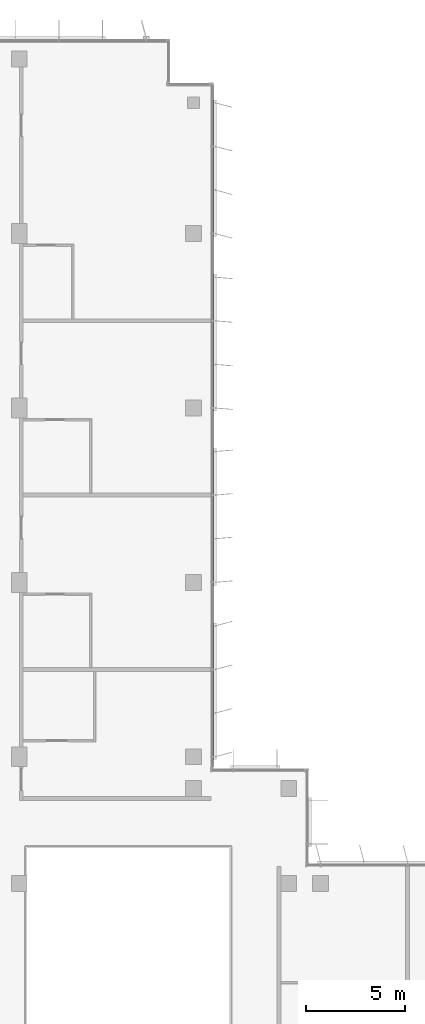
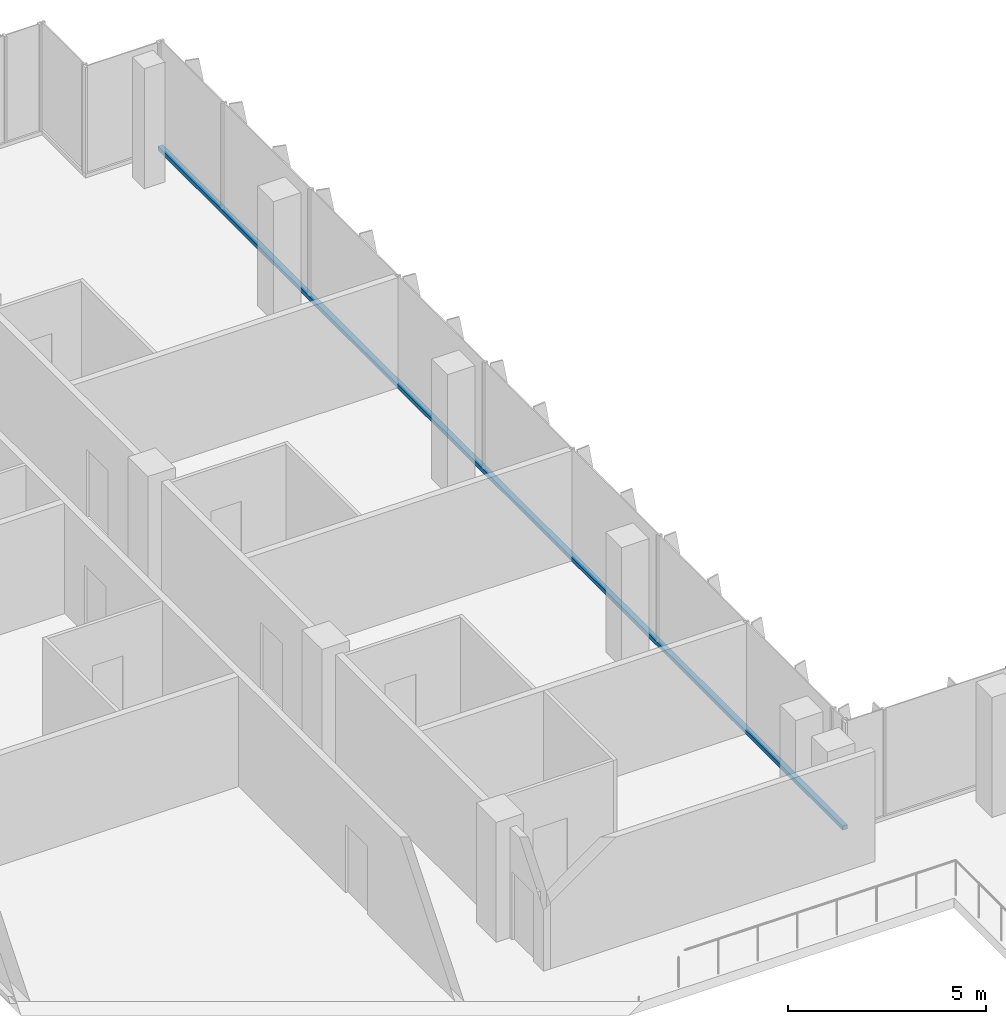
# One storey, part 5 of 15: 1 member, 1 element without a shape of its own.
"""IFC4 building model written with IfcOpenShell, lengths in metres."""

import ifcopenshell
import ifcopenshell.guid

model = None  # the IFC model being written
_history = None  # IfcOwnerHistory: only IFC2X3 demands one
_inside = {}  # id of a spatial element -> (the spatial element, [elements in it])
_under = {}  # id of a project, library or spatial element -> (it, [spatial elements below it])
_declared = {}  # id of a project -> (the project, [libraries it declares])
_typed = {}  # id of a type object -> (the type object, [elements of that type])
_made_of = {}  # id of a material, layer set ... -> (it, [elements and type objects made of it])


def new_model(schema):
    """Start an empty IFC model of exactly this schema.

    Asked for "IFC4X3", IfcOpenShell would pick the latest addendum, in which some entities
    have other attributes; the version numbers below select the first issue.
    IFC2X3 requires an IfcOwnerHistory on every rooted entity: one is made here for all.
    """
    global model, _history
    if schema == "IFC4X3":
        model = ifcopenshell.file(schema_version=(4, 3, 0, 0))
    else:
        model = ifcopenshell.file(schema=schema)
    _inside.clear()
    _under.clear()
    _declared.clear()
    _typed.clear()
    _made_of.clear()
    _history = None
    if model.schema == "IFC2X3":
        org = make("IfcOrganization", Name="unknown")
        user = make(
            "IfcPersonAndOrganization",
            ThePerson=make("IfcPerson", FamilyName="unknown"),
            TheOrganization=org,
        )
        app = make(
            "IfcApplication",
            ApplicationDeveloper=org,
            Version="unknown",
            ApplicationFullName="unknown",
            ApplicationIdentifier="unknown",
        )
        _history = make(
            "IfcOwnerHistory",
            OwningUser=user,
            OwningApplication=app,
            ChangeAction="ADDED",
            CreationDate=0,
        )
    return model


def make(cls, **values):
    """One entity of the class cls with the attributes given. An attribute that is None is left unset."""
    return model.create_entity(
        cls, **{name: value for name, value in values.items() if value is not None}
    )


def rooted(cls, **values):
    """An entity with a GlobalId (a new one), such as an element, a storey or a relation."""
    return make(cls, GlobalId=ifcopenshell.guid.new(), OwnerHistory=_history, **values)


def si_unit(unit_type, name, prefix=None):
    """IfcSIUnit, for example si_unit("LENGTHUNIT", "METRE", prefix="MILLI")."""
    return make("IfcSIUnit", UnitType=unit_type, Prefix=prefix, Name=name)


def assignment(units):
    """IfcUnitAssignment: the units of a project."""
    return None if units is None else make("IfcUnitAssignment", Units=units)


def point(xyz):
    """IfcCartesianPoint."""
    return None if xyz is None else make("IfcCartesianPoint", Coordinates=xyz)


def direction(xyz):
    """IfcDirection."""
    return None if xyz is None else make("IfcDirection", DirectionRatios=xyz)


def frame(location, z_axis=None, x_axis=None):
    """IfcAxis2Placement3D, a coordinate frame: its origin and axes. An axis left out is left unset."""
    return make(
        "IfcAxis2Placement3D",
        Location=point(location),
        Axis=direction(z_axis),
        RefDirection=direction(x_axis),
    )


def frame_2d(location, x_axis=None):
    """IfcAxis2Placement2D, a coordinate frame in the plane: its origin and x axis."""
    return make(
        "IfcAxis2Placement2D", Location=point(location), RefDirection=direction(x_axis)
    )


def origin():
    """The frame at (0, 0, 0) with its axes left unset."""
    return frame((0.0, 0.0, 0.0))


def origin_2d():
    """The frame at (0, 0) in the plane with its x axis left unset."""
    return frame_2d((0.0, 0.0))


def place(relative_to, where):
    """IfcLocalPlacement: puts the frame where relative to a parent placement (None: the world)."""
    return make(
        "IfcLocalPlacement", PlacementRelTo=relative_to, RelativePlacement=where
    )


def context(
    kind, dimensions, precision=None, world=None, true_north=None, identifier=None
):
    """IfcGeometricRepresentationContext, for example the 3D "Model" context."""
    return make(
        "IfcGeometricRepresentationContext",
        ContextIdentifier=identifier,
        ContextType=kind,
        CoordinateSpaceDimension=dimensions,
        Precision=precision,
        WorldCoordinateSystem=world,
        TrueNorth=true_north,
    )


def subcontext(parent, identifier, kind, view, scale=None):
    """IfcGeometricRepresentationSubContext, for example "Body" below "Model"."""
    return make(
        "IfcGeometricRepresentationSubContext",
        ContextIdentifier=identifier,
        ContextType=kind,
        ParentContext=parent,
        TargetScale=scale,
        TargetView=view,
    )


def project(units=None, contexts=None):
    """IfcProject with its units and contexts."""
    return rooted(
        "IfcProject",
        Name="project",
        RepresentationContexts=contexts,
        UnitsInContext=assignment(units),
    )


def spatial(cls, under=None, at=None, **own):
    """A site, building, storey or space (cls), placed at a placement, below another one or the project."""
    s = rooted(cls, ObjectPlacement=at, **own)
    if under is not None:
        _under.setdefault(under.id(), (under, []))[1].append(s)
    return s


def profile(cls, at=None, kind="AREA", **sizes):
    """A parametric profile (cls). Its sizes go by their IFC names, for example OverallWidth=200.0."""
    return make(cls, ProfileType=kind, Position=at, **sizes)


def rectangle(**sizes):
    """IfcRectangleProfileDef."""
    return profile("IfcRectangleProfileDef", **sizes)


def extrude(swept, where, along, depth):
    """IfcExtrudedAreaSolid: the profile swept, set in the frame where, extruded along a direction by depth."""
    return make(
        "IfcExtrudedAreaSolid",
        SweptArea=swept,
        Position=where,
        ExtrudedDirection=direction(along),
        Depth=depth,
    )


def shape(context_of_items, identifier, shape_type, items):
    """IfcShapeRepresentation: the items that make up one representation, for example the "Body"."""
    return make(
        "IfcShapeRepresentation",
        ContextOfItems=context_of_items,
        RepresentationIdentifier=identifier,
        RepresentationType=shape_type,
        Items=items,
    )


def material(Name=None, Category=None):
    """IfcMaterial."""
    return make("IfcMaterial", Name=Name, Category=Category)


def material_profile(
    of_material, cross_section, Name=None, Category=None, Priority=None
):
    """IfcMaterialProfile: a cross section and its material."""
    return make(
        "IfcMaterialProfile",
        Name=Name,
        Material=of_material,
        Profile=cross_section,
        Priority=Priority,
        Category=Category,
    )


def profile_set(profiles, Name=None, composite=None):
    """IfcMaterialProfileSet."""
    return make(
        "IfcMaterialProfileSet",
        Name=Name,
        MaterialProfiles=profiles,
        CompositeProfile=composite,
    )


def made_of(thing, what):
    """Note that an element or type object is made of a material, layer set ...; save() writes the relation."""
    if what is not None:
        _made_of.setdefault(what.id(), (what, []))[1].append(thing)
    return thing


def type_object(cls, material=None, **own):
    """A type object (cls), such as IfcWallType, which elements share."""
    return made_of(rooted(cls, **own), material)


def element(
    cls,
    number,
    at=None,
    inside=None,
    cuts=None,
    type_object=None,
    material=None,
    context=None,
    identifier="Body",
    shape_type=None,
    held_by="IfcProductDefinitionShape",
    body=None,
    shapes=None,
    **own,
):
    """One element of the class cls, such as IfcWall. Its Tag is "e" and its number.

    at: its placement. inside: the storey or other place that contains it. cuts: it is an
    opening in that element (IfcRelVoidsElement). A single representation is given by context,
    identifier, shape_type and body (its items); several are given by shapes. held_by: the class
    of the entity that holds the representations. save() writes the other relations.
    """
    e = rooted(cls, Tag="e%d" % number, ObjectPlacement=at, **own)
    if body is not None:
        shapes = [shape(context, identifier, shape_type, body)]
    if shapes is not None:
        e.Representation = make(held_by, Representations=shapes)
    if inside is not None:
        _inside.setdefault(inside.id(), (inside, []))[1].append(e)
    if cuts is not None:
        rooted(
            "IfcRelVoidsElement", RelatingBuildingElement=cuts, RelatedOpeningElement=e
        )
    if type_object is not None:
        _typed.setdefault(type_object.id(), (type_object, []))[1].append(e)
    return made_of(e, material)


def aggregate(whole, parts):
    """IfcRelAggregates: a whole, such as a stair, and the parts it consists of."""
    return rooted("IfcRelAggregates", RelatingObject=whole, RelatedObjects=parts)


def save(model, path):
    """Write the relations noted so far, then the file.

    IfcRelAggregates (storeys below a building ...), IfcRelContainedInSpatialStructure (elements
    in a storey), IfcRelDefinesByType, IfcRelAssociatesMaterial and IfcRelDeclares: one each for
    every whole, place, type object, material and project.
    """
    for whole, parts in _under.values():
        aggregate(whole, parts)
    for where, things in _inside.values():
        rooted(
            "IfcRelContainedInSpatialStructure",
            RelatedElements=things,
            RelatingStructure=where,
        )
    for kind, things in _typed.values():
        rooted("IfcRelDefinesByType", RelatedObjects=things, RelatingType=kind)
    for what, things in _made_of.values():
        rooted("IfcRelAssociatesMaterial", RelatedObjects=things, RelatingMaterial=what)
    for by, libraries in _declared.values():
        rooted("IfcRelDeclares", RelatingContext=by, RelatedDefinitions=libraries)
    model.write(path)


model = new_model("IFC4")

# Units and contexts
model_context = context("Model", 3, precision=1e-05, world=origin(), true_north=direction((0.0, 1.0)))
body_context = subcontext(model_context, "Body", "Model", "MODEL_VIEW")
ifc_project = project(units=[si_unit("LENGTHUNIT", "METRE"), si_unit("AREAUNIT", "SQUARE_METRE"), si_unit("VOLUMEUNIT", "CUBIC_METRE"), si_unit("PLANEANGLEUNIT", "RADIAN"), si_unit("MASSUNIT", "GRAM", prefix="KILO")], contexts=[model_context])

# Site, building, storey
site_placement = place(None, origin())
site = spatial("IfcSite", under=ifc_project, at=site_placement, CompositionType="ELEMENT")
building_placement = place(site_placement, origin())
building = spatial("IfcBuilding", under=site, at=building_placement, Name="Kemantara Hotel Tower", CompositionType="ELEMENT")
storey_placement = place(building_placement, frame((0.0, 0.0, 290.699951171875)))
storey = spatial("IfcBuildingStorey", under=building, at=storey_placement, Name="L73", CompositionType="ELEMENT", Elevation=290.699951171875)

# Curtain wall, member
ifc_material_1 = material(Name="Low-E tinted double insulated glass 36 mm", Category="glass")
curtain_wall_type = type_object("IfcCurtainWallType", Name="TOWER CURTAIN WALL, FRONT FACES", PredefinedType="USERDEFINED", material=ifc_material_1)
curtain_wall_placement = place(storey_placement, origin())
curtain_wall = element("IfcCurtainWall", 1, at=curtain_wall_placement, inside=storey, type_object=curtain_wall_type, Name="CW4 L73 T4-R15-1", ObjectType="TOWER CURTAIN WALL, FRONT FACES", PredefinedType="USERDEFINED")
ifc_material_2 = material(Name="Aluminium 6063-T6 bronze anodised", Category="aluminium")
ifc_material_profile = material_profile(ifc_material_2, rectangle(XDim=0.14990234375, YDim=0.1201171875, at=origin_2d()), Name="TOWER CURTAIN WALL, FRONT FACES TRANSOM")
ifc_profile_set = profile_set([ifc_material_profile], Name="Aluminium 6063-T6 bronze anodised")
member_type = type_object("IfcMemberType", Name="TOWER CURTAIN WALL, FRONT FACES TRANSOM", PredefinedType="USERDEFINED", material=ifc_profile_set)
member_placement = place(storey_placement, frame((21.925048828125, 26.800048828125, 0.06005859375), z_axis=(0.0, 1.0, 0.0), x_axis=(-1.0, 0.0, 0.0)))
member = element("IfcMember", 2, at=member_placement, type_object=member_type, Name="CW4 sill transom T4-R15-1", ObjectType="TRANSOM", PredefinedType="USERDEFINED", context=body_context, shape_type="SweptSolid", body=[
    extrude(rectangle(XDim=0.14990234375, YDim=0.1201171875, at=origin_2d()), origin(), (0.0, 0.0, 1.0), 34.599853515625),
])
aggregate(curtain_wall, [member])

save(model, "model.ifc")
